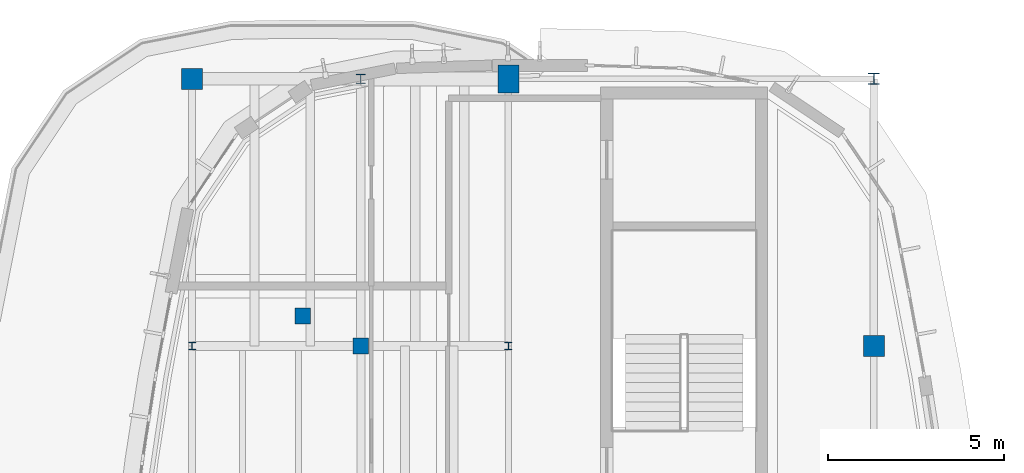
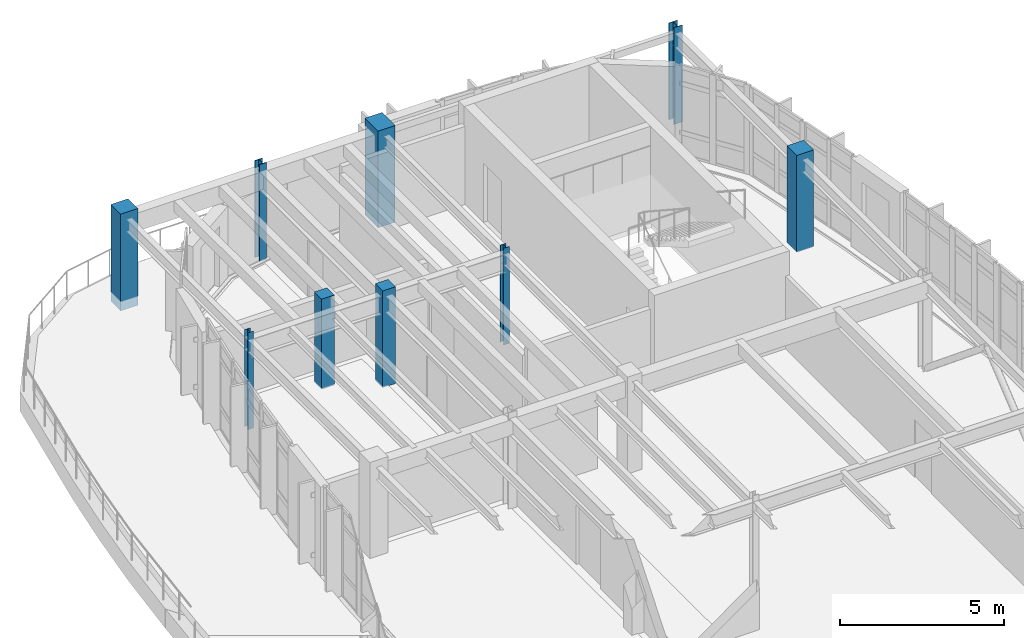
# One storey, part 3 of 20: 9 columns.
"""IFC4 building model written with IfcOpenShell, lengths in metres."""

import ifcopenshell
import ifcopenshell.guid

model = None  # the IFC model being written
_history = None  # IfcOwnerHistory: only IFC2X3 demands one
_inside = {}  # id of a spatial element -> (the spatial element, [elements in it])
_under = {}  # id of a project, library or spatial element -> (it, [spatial elements below it])
_declared = {}  # id of a project -> (the project, [libraries it declares])
_typed = {}  # id of a type object -> (the type object, [elements of that type])
_made_of = {}  # id of a material, layer set ... -> (it, [elements and type objects made of it])


def new_model(schema):
    """Start an empty IFC model of exactly this schema.

    Asked for "IFC4X3", IfcOpenShell would pick the latest addendum, in which some entities
    have other attributes; the version numbers below select the first issue.
    IFC2X3 requires an IfcOwnerHistory on every rooted entity: one is made here for all.
    """
    global model, _history
    if schema == "IFC4X3":
        model = ifcopenshell.file(schema_version=(4, 3, 0, 0))
    else:
        model = ifcopenshell.file(schema=schema)
    _inside.clear()
    _under.clear()
    _declared.clear()
    _typed.clear()
    _made_of.clear()
    _history = None
    if model.schema == "IFC2X3":
        org = make("IfcOrganization", Name="unknown")
        user = make(
            "IfcPersonAndOrganization",
            ThePerson=make("IfcPerson", FamilyName="unknown"),
            TheOrganization=org,
        )
        app = make(
            "IfcApplication",
            ApplicationDeveloper=org,
            Version="unknown",
            ApplicationFullName="unknown",
            ApplicationIdentifier="unknown",
        )
        _history = make(
            "IfcOwnerHistory",
            OwningUser=user,
            OwningApplication=app,
            ChangeAction="ADDED",
            CreationDate=0,
        )
    return model


def make(cls, **values):
    """One entity of the class cls with the attributes given. An attribute that is None is left unset."""
    return model.create_entity(
        cls, **{name: value for name, value in values.items() if value is not None}
    )


def rooted(cls, **values):
    """An entity with a GlobalId (a new one), such as an element, a storey or a relation."""
    return make(cls, GlobalId=ifcopenshell.guid.new(), OwnerHistory=_history, **values)


def si_unit(unit_type, name, prefix=None):
    """IfcSIUnit, for example si_unit("LENGTHUNIT", "METRE", prefix="MILLI")."""
    return make("IfcSIUnit", UnitType=unit_type, Prefix=prefix, Name=name)


def assignment(units):
    """IfcUnitAssignment: the units of a project."""
    return None if units is None else make("IfcUnitAssignment", Units=units)


def point(xyz):
    """IfcCartesianPoint."""
    return None if xyz is None else make("IfcCartesianPoint", Coordinates=xyz)


def direction(xyz):
    """IfcDirection."""
    return None if xyz is None else make("IfcDirection", DirectionRatios=xyz)


def frame(location, z_axis=None, x_axis=None):
    """IfcAxis2Placement3D, a coordinate frame: its origin and axes. An axis left out is left unset."""
    return make(
        "IfcAxis2Placement3D",
        Location=point(location),
        Axis=direction(z_axis),
        RefDirection=direction(x_axis),
    )


def frame_2d(location, x_axis=None):
    """IfcAxis2Placement2D, a coordinate frame in the plane: its origin and x axis."""
    return make(
        "IfcAxis2Placement2D", Location=point(location), RefDirection=direction(x_axis)
    )


def origin():
    """The frame at (0, 0, 0) with its axes left unset."""
    return frame((0.0, 0.0, 0.0))


def origin_2d():
    """The frame at (0, 0) in the plane with its x axis left unset."""
    return frame_2d((0.0, 0.0))


def place(relative_to, where):
    """IfcLocalPlacement: puts the frame where relative to a parent placement (None: the world)."""
    return make(
        "IfcLocalPlacement", PlacementRelTo=relative_to, RelativePlacement=where
    )


def context(
    kind, dimensions, precision=None, world=None, true_north=None, identifier=None
):
    """IfcGeometricRepresentationContext, for example the 3D "Model" context."""
    return make(
        "IfcGeometricRepresentationContext",
        ContextIdentifier=identifier,
        ContextType=kind,
        CoordinateSpaceDimension=dimensions,
        Precision=precision,
        WorldCoordinateSystem=world,
        TrueNorth=true_north,
    )


def subcontext(parent, identifier, kind, view, scale=None):
    """IfcGeometricRepresentationSubContext, for example "Body" below "Model"."""
    return make(
        "IfcGeometricRepresentationSubContext",
        ContextIdentifier=identifier,
        ContextType=kind,
        ParentContext=parent,
        TargetScale=scale,
        TargetView=view,
    )


def project(units=None, contexts=None):
    """IfcProject with its units and contexts."""
    return rooted(
        "IfcProject",
        Name="project",
        RepresentationContexts=contexts,
        UnitsInContext=assignment(units),
    )


def spatial(cls, under=None, at=None, **own):
    """A site, building, storey or space (cls), placed at a placement, below another one or the project."""
    s = rooted(cls, ObjectPlacement=at, **own)
    if under is not None:
        _under.setdefault(under.id(), (under, []))[1].append(s)
    return s


def profile(cls, at=None, kind="AREA", **sizes):
    """A parametric profile (cls). Its sizes go by their IFC names, for example OverallWidth=200.0."""
    return make(cls, ProfileType=kind, Position=at, **sizes)


def rectangle(**sizes):
    """IfcRectangleProfileDef."""
    return profile("IfcRectangleProfileDef", **sizes)


def i_section(**sizes):
    """IfcIShapeProfileDef."""
    return profile("IfcIShapeProfileDef", **sizes)


def extrude(swept, where, along, depth):
    """IfcExtrudedAreaSolid: the profile swept, set in the frame where, extruded along a direction by depth."""
    return make(
        "IfcExtrudedAreaSolid",
        SweptArea=swept,
        Position=where,
        ExtrudedDirection=direction(along),
        Depth=depth,
    )


def shape(context_of_items, identifier, shape_type, items):
    """IfcShapeRepresentation: the items that make up one representation, for example the "Body"."""
    return make(
        "IfcShapeRepresentation",
        ContextOfItems=context_of_items,
        RepresentationIdentifier=identifier,
        RepresentationType=shape_type,
        Items=items,
    )


def material(Name=None, Category=None):
    """IfcMaterial."""
    return make("IfcMaterial", Name=Name, Category=Category)


def material_profile(
    of_material, cross_section, Name=None, Category=None, Priority=None
):
    """IfcMaterialProfile: a cross section and its material."""
    return make(
        "IfcMaterialProfile",
        Name=Name,
        Material=of_material,
        Profile=cross_section,
        Priority=Priority,
        Category=Category,
    )


def profile_set(profiles, Name=None, composite=None):
    """IfcMaterialProfileSet."""
    return make(
        "IfcMaterialProfileSet",
        Name=Name,
        MaterialProfiles=profiles,
        CompositeProfile=composite,
    )


def made_of(thing, what):
    """Note that an element or type object is made of a material, layer set ...; save() writes the relation."""
    if what is not None:
        _made_of.setdefault(what.id(), (what, []))[1].append(thing)
    return thing


def type_object(cls, material=None, **own):
    """A type object (cls), such as IfcWallType, which elements share."""
    return made_of(rooted(cls, **own), material)


def element(
    cls,
    number,
    at=None,
    inside=None,
    cuts=None,
    type_object=None,
    material=None,
    context=None,
    identifier="Body",
    shape_type=None,
    held_by="IfcProductDefinitionShape",
    body=None,
    shapes=None,
    **own,
):
    """One element of the class cls, such as IfcWall. Its Tag is "e" and its number.

    at: its placement. inside: the storey or other place that contains it. cuts: it is an
    opening in that element (IfcRelVoidsElement). A single representation is given by context,
    identifier, shape_type and body (its items); several are given by shapes. held_by: the class
    of the entity that holds the representations. save() writes the other relations.
    """
    e = rooted(cls, Tag="e%d" % number, ObjectPlacement=at, **own)
    if body is not None:
        shapes = [shape(context, identifier, shape_type, body)]
    if shapes is not None:
        e.Representation = make(held_by, Representations=shapes)
    if inside is not None:
        _inside.setdefault(inside.id(), (inside, []))[1].append(e)
    if cuts is not None:
        rooted(
            "IfcRelVoidsElement", RelatingBuildingElement=cuts, RelatedOpeningElement=e
        )
    if type_object is not None:
        _typed.setdefault(type_object.id(), (type_object, []))[1].append(e)
    return made_of(e, material)


def aggregate(whole, parts):
    """IfcRelAggregates: a whole, such as a stair, and the parts it consists of."""
    return rooted("IfcRelAggregates", RelatingObject=whole, RelatedObjects=parts)


def save(model, path):
    """Write the relations noted so far, then the file.

    IfcRelAggregates (storeys below a building ...), IfcRelContainedInSpatialStructure (elements
    in a storey), IfcRelDefinesByType, IfcRelAssociatesMaterial and IfcRelDeclares: one each for
    every whole, place, type object, material and project.
    """
    for whole, parts in _under.values():
        aggregate(whole, parts)
    for where, things in _inside.values():
        rooted(
            "IfcRelContainedInSpatialStructure",
            RelatedElements=things,
            RelatingStructure=where,
        )
    for kind, things in _typed.values():
        rooted("IfcRelDefinesByType", RelatedObjects=things, RelatingType=kind)
    for what, things in _made_of.values():
        rooted("IfcRelAssociatesMaterial", RelatedObjects=things, RelatingMaterial=what)
    for by, libraries in _declared.values():
        rooted("IfcRelDeclares", RelatingContext=by, RelatedDefinitions=libraries)
    model.write(path)


model = new_model("IFC4")

# Units and contexts
model_context = context("Model", 3, precision=1e-05, world=origin(), true_north=direction((0.0, 1.0)))
body_context = subcontext(model_context, "Body", "Model", "MODEL_VIEW")
ifc_project = project(units=[si_unit("LENGTHUNIT", "METRE"), si_unit("AREAUNIT", "SQUARE_METRE"), si_unit("VOLUMEUNIT", "CUBIC_METRE"), si_unit("PLANEANGLEUNIT", "RADIAN"), si_unit("MASSUNIT", "GRAM", prefix="KILO")], contexts=[model_context])

# Site, building, storey
site_placement = place(None, origin())
site = spatial("IfcSite", under=ifc_project, at=site_placement, CompositionType="ELEMENT")
building_placement = place(site_placement, origin())
building = spatial("IfcBuilding", under=site, at=building_placement, Name="Corveleigh Park Community Centre", CompositionType="ELEMENT")
storey_placement = place(building_placement, frame((0.0, 0.0, 16.199951171875)))
storey = spatial("IfcBuildingStorey", under=building, at=storey_placement, Name="L04", CompositionType="ELEMENT", Elevation=16.199951171875)

# Columns
ifc_material_1 = material(Name="Concrete C40/50", Category="concrete")
ifc_material_profile_1 = material_profile(ifc_material_1, rectangle(XDim=0.449951171875, YDim=0.449951171875, at=origin_2d()), Name="RC-450x450", Category="concrete")
ifc_profile_set_1 = profile_set([ifc_material_profile_1], Name="Concrete C40/50")
column_type_1 = type_object("IfcColumnType", Name="COL-RC-450x450", PredefinedType="COLUMN", material=ifc_profile_set_1)
column_1_placement = place(storey_placement, frame((153.800048828125, 96.60009765625, 0.0), z_axis=(0.0, 0.0, 1.0), x_axis=(1.0, 0.0, 0.0)))
element("IfcColumn", 1, at=column_1_placement, inside=storey, type_object=column_type_1, Name="Column V4-X5Y5 L04", PredefinedType="COLUMN", context=body_context, shape_type="SweptSolid", body=[
    extrude(rectangle(XDim=0.449951171875, YDim=0.449951171875, at=origin_2d()), origin(), (0.0, 0.0, 1.0), 3.60009765625),
])
column_2_placement = place(storey_placement, frame((152.14697265625, 97.4560546875, 0.0), z_axis=(0.0, 0.0, 1.0), x_axis=(1.0, 0.0, 0.0)))
element("IfcColumn", 2, at=column_2_placement, inside=storey, type_object=column_type_1, Name="External deck support pier 140 L04", PredefinedType="COLUMN", context=body_context, shape_type="SweptSolid", body=[
    extrude(rectangle(XDim=0.449951171875, YDim=0.449951171875, at=origin_2d()), origin(), (0.0, 0.0, 1.0), 3.35302734375),
])
ifc_material_profile_2 = material_profile(ifc_material_1, rectangle(XDim=0.60009765625, YDim=0.60009765625, at=origin_2d()), Name="RC-600x600", Category="concrete")
ifc_profile_set_2 = profile_set([ifc_material_profile_2], Name="Concrete C40/50")
column_type_2 = type_object("IfcColumnType", Name="COL-RC-600x600", PredefinedType="COLUMN", material=ifc_profile_set_2)
for number, where, z_axis, x_axis, name in (
    (3, (149.0, 104.199951171875, 0.0), (0.0, 0.0, 1.0), (1.0, 0.0, 0.0), "Column V4-X4Y6 L04"),
    (4, (168.39990234375, 96.60009765625, 0.0), (0.0, 0.0, 1.0), (1.0, 0.0, 0.0), "Column V4-X7Y5 L04"),
):
    element("IfcColumn", number, at=place(storey_placement, frame(where, z_axis=z_axis, x_axis=x_axis)), inside=storey, type_object=column_type_2, Name=name, PredefinedType="COLUMN", context=body_context, shape_type="SweptSolid", body=[
        extrude(rectangle(XDim=0.60009765625, YDim=0.60009765625, at=origin_2d()), origin(), (0.0, 0.0, 1.0), 3.60009765625),
    ])
ifc_material_profile_3 = material_profile(ifc_material_1, rectangle(XDim=0.60009765625, YDim=0.800048828125, at=origin_2d()), Name="RC-600x800", Category="concrete")
ifc_profile_set_3 = profile_set([ifc_material_profile_3], Name="Concrete C40/50")
column_type_3 = type_object("IfcColumnType", Name="COL-RC-600x800", PredefinedType="COLUMN", material=ifc_profile_set_3)
column_3_placement = place(storey_placement, frame((158.0, 104.199951171875, 0.0), z_axis=(0.0, 0.0, 1.0), x_axis=(1.0, 0.0, 0.0)))
element("IfcColumn", 5, at=column_3_placement, inside=storey, type_object=column_type_3, Name="Column V4-X6Y6 L04", PredefinedType="COLUMN", context=body_context, shape_type="SweptSolid", body=[
    extrude(rectangle(XDim=0.60009765625, YDim=0.800048828125, at=origin_2d()), origin(), (0.0, 0.0, 1.0), 3.60009765625),
])
ifc_material_2 = material(Name="Steel S355", Category="steel")
ifc_material_profile_4 = material_profile(ifc_material_2, i_section(OverallWidth=0.20361328125, OverallDepth=0.203125, WebThickness=0.007080078125, FlangeThickness=0.010986328125, at=origin_2d()), Name="UKC 203x203x46", Category="steel")
ifc_profile_set_4 = profile_set([ifc_material_profile_4], Name="Steel S355")
column_type_4 = type_object("IfcColumnType", Name="COL-STL-UKC203x46", PredefinedType="COLUMN", material=ifc_profile_set_4)
column_4_placement = place(storey_placement, frame((149.0, 96.60009765625, 0.0), z_axis=(0.0, 0.0, 1.0), x_axis=(1.0, 0.0, 0.0)))
element("IfcColumn", 6, at=column_4_placement, inside=storey, type_object=column_type_4, Name="Column V4-X4Y5 L04", PredefinedType="COLUMN", context=body_context, shape_type="SweptSolid", body=[
    extrude(i_section(OverallWidth=0.20361328125, OverallDepth=0.203125, WebThickness=0.007080078125, FlangeThickness=0.010986328125, at=origin_2d()), origin(), (0.0, 0.0, 1.0), 3.60009765625),
])
ifc_material_profile_5 = material_profile(ifc_material_2, i_section(OverallWidth=0.204345703125, OverallDepth=0.206298828125, WebThickness=0.0078125, FlangeThickness=0.012451171875, at=origin_2d()), Name="UKC 203x203x52", Category="steel")
ifc_profile_set_5 = profile_set([ifc_material_profile_5], Name="Steel S355")
column_type_5 = type_object("IfcColumnType", Name="COL-STL-UKC203x52", PredefinedType="COLUMN", material=ifc_profile_set_5)
column_5_placement = place(storey_placement, frame((158.0, 96.60009765625, 0.0), z_axis=(0.0, 0.0, 1.0), x_axis=(1.0, 0.0, 0.0)))
element("IfcColumn", 7, at=column_5_placement, inside=storey, type_object=column_type_5, Name="Column V4-X6Y5 L04", PredefinedType="COLUMN", context=body_context, shape_type="SweptSolid", body=[
    extrude(i_section(OverallWidth=0.204345703125, OverallDepth=0.206298828125, WebThickness=0.0078125, FlangeThickness=0.012451171875, at=origin_2d()), origin(), (0.0, 0.0, 1.0), 3.60009765625),
])
ifc_material_profile_6 = material_profile(ifc_material_2, i_section(OverallWidth=0.26123046875, OverallDepth=0.2763671875, WebThickness=0.015380859375, FlangeThickness=0.025390625, at=origin_2d()), Name="UKC 254x254x132", Category="steel")
ifc_profile_set_6 = profile_set([ifc_material_profile_6], Name="Steel S355")
column_type_6 = type_object("IfcColumnType", Name="COL-STL-UKC254x132", PredefinedType="COLUMN", material=ifc_profile_set_6)
column_6_placement = place(storey_placement, frame((153.800048828125, 104.199951171875, 0.0), z_axis=(0.0, 0.0, 1.0), x_axis=(1.0, 0.0, 0.0)))
element("IfcColumn", 8, at=column_6_placement, inside=storey, type_object=column_type_6, Name="Column V4-X5Y6 L04", PredefinedType="COLUMN", context=body_context, shape_type="SweptSolid", body=[
    extrude(i_section(OverallWidth=0.26123046875, OverallDepth=0.2763671875, WebThickness=0.015380859375, FlangeThickness=0.025390625, at=origin_2d()), origin(), (0.0, 0.0, 1.0), 3.60009765625),
])
ifc_material_profile_7 = material_profile(ifc_material_2, i_section(OverallWidth=0.305419921875, OverallDepth=0.307861328125, WebThickness=0.010009765625, FlangeThickness=0.015380859375, at=origin_2d()), Name="UKC 305x305x97", Category="steel")
ifc_profile_set_7 = profile_set([ifc_material_profile_7], Name="Steel S355")
column_type_7 = type_object("IfcColumnType", Name="COL-STL-UKC305x97", PredefinedType="COLUMN", material=ifc_profile_set_7)
column_7_placement = place(storey_placement, frame((168.39990234375, 104.199951171875, 0.0), z_axis=(0.0, 0.0, 1.0), x_axis=(1.0, 0.0, 0.0)))
element("IfcColumn", 9, at=column_7_placement, inside=storey, type_object=column_type_7, Name="Column V4-X7Y6 L04", PredefinedType="COLUMN", context=body_context, shape_type="SweptSolid", body=[
    extrude(i_section(OverallWidth=0.305419921875, OverallDepth=0.307861328125, WebThickness=0.010009765625, FlangeThickness=0.015380859375, at=origin_2d()), origin(), (0.0, 0.0, 1.0), 3.60009765625),
])

save(model, "model.ifc")
